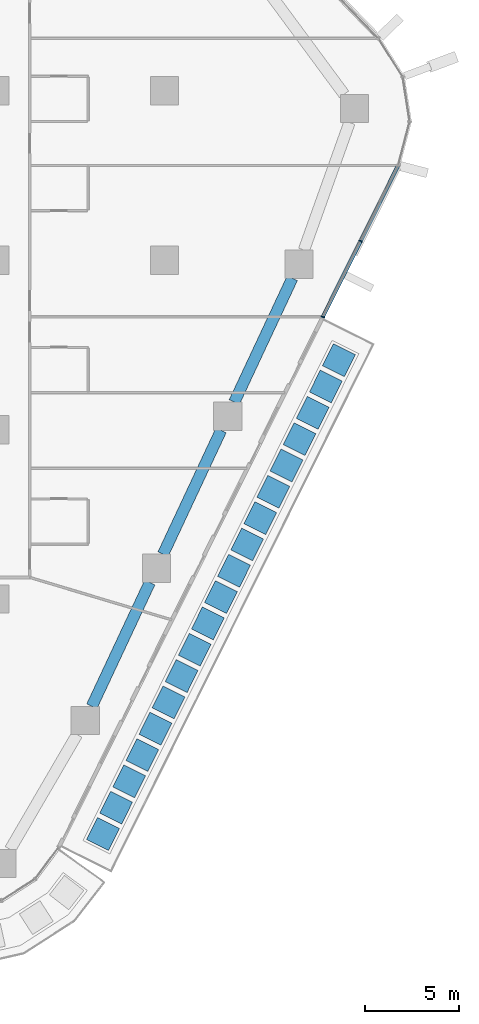
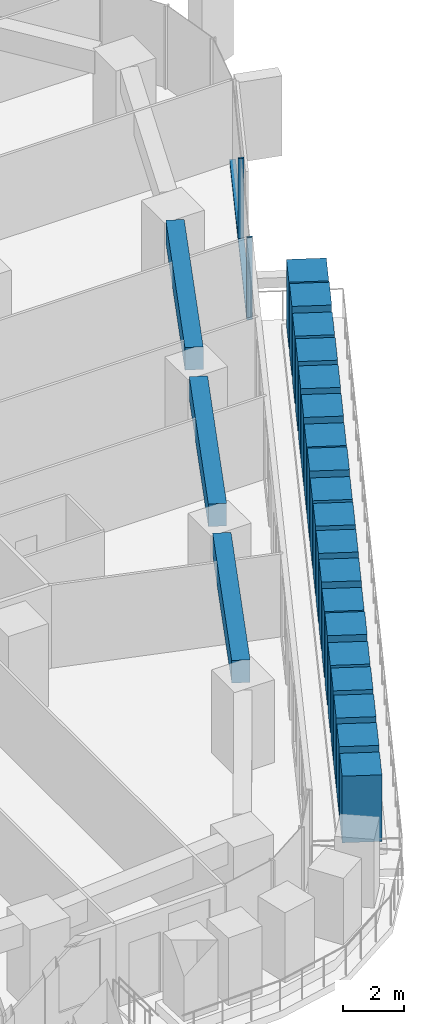
# One storey, part 7 of 27: 22 members, 3 beams, 1 element without a shape of its own.
"""IFC4 building model written with IfcOpenShell, lengths in metres."""

from ifc_helpers import new_model, si_unit, direction, frame, origin, origin_2d, place, context, subcontext, project, spatial, rectangle, extrude, material, layer, layer_set, material_profile, profile_set, type_object, element, aggregate, save


model = new_model("IFC4")

# Units and contexts
model_context = context("Model", 3, precision=1e-05, world=origin(), true_north=direction((0.0, 1.0)))
body_context = subcontext(model_context, "Body", "Model", "MODEL_VIEW")
ifc_project = project(units=[si_unit("LENGTHUNIT", "METRE"), si_unit("AREAUNIT", "SQUARE_METRE"), si_unit("VOLUMEUNIT", "CUBIC_METRE"), si_unit("PLANEANGLEUNIT", "RADIAN"), si_unit("MASSUNIT", "GRAM", prefix="KILO")], contexts=[model_context])

# Site, building, storey
site_placement = place(None, origin())
site = spatial("IfcSite", under=ifc_project, at=site_placement, CompositionType="ELEMENT")
building_placement = place(site_placement, origin())
building = spatial("IfcBuilding", under=site, at=building_placement, Name="Dongbaek Canopy Tower", CompositionType="ELEMENT")
storey_placement = place(building_placement, frame((0.0, 0.0, 55.10009765625)))
storey = spatial("IfcBuildingStorey", under=building, at=storey_placement, Name="L09", CompositionType="ELEMENT", Elevation=55.10009765625)

# Curtain wall, members
ifc_material_1 = material(Name="Aluminium 6063-T6 pale anodised", Category="aluminium")
ifc_layer = layer(ifc_material_1, 0.199951171875)
ifc_layer_set = layer_set([ifc_layer], Name="CW-1 unitised tower curtain wall")
curtain_wall_type = type_object("IfcCurtainWallType", Name="CW-1 unitised tower curtain wall", PredefinedType="NOTDEFINED", material=ifc_layer_set)
curtain_wall_placement = place(storey_placement, origin())
curtain_wall = element("IfcCurtainWall", 1, at=curtain_wall_placement, inside=storey, type_object=curtain_wall_type, Name="CW-1 curtain wall F5.1", PredefinedType="NOTDEFINED")
ifc_material_2 = material(Name="Aluminium 6063-T6 pale anodised", Category="aluminium")
ifc_material_profile_1 = material_profile(ifc_material_2, rectangle(XDim=0.199951171875, YDim=0.06005859375, at=origin_2d()), Name="CW-1 mullion 60 x 200")
ifc_profile_set_1 = profile_set([ifc_material_profile_1], Name="Aluminium 6063-T6 pale anodised")
member_type_1 = type_object("IfcMemberType", Name="CW-1 mullion 60 x 200", PredefinedType="MULLION", material=ifc_profile_set_1)
member_1_placement = place(storey_placement, frame((35.414306640625, -3.00634765625, 0.119873046875), z_axis=(0.0, 0.0, 1.0), x_axis=(0.895193313704, -0.445678057682, 0.0)))
member_1 = element("IfcMember", 2, at=member_1_placement, type_object=member_type_1, Name="CW-1 mullion F5.1.1", PredefinedType="MULLION", context=body_context, shape_type="SweptSolid", body=[
    extrude(rectangle(XDim=0.199951171875, YDim=0.06005859375, at=origin_2d()), origin(), (0.0, 0.0, 1.0), 3.179931640625),
])
member_2_placement = place(storey_placement, frame((37.418212890625, 1.018798828125, 0.119873046875), z_axis=(0.0, 0.0, 1.0), x_axis=(0.895193313704, -0.445678057682, 0.0)))
member_2 = element("IfcMember", 3, at=member_2_placement, type_object=member_type_1, Name="CW-1 mullion F5.1.2", PredefinedType="MULLION", context=body_context, shape_type="SweptSolid", body=[
    extrude(rectangle(XDim=0.199951171875, YDim=0.06005859375, at=origin_2d()), origin(), (0.0, 0.0, 1.0), 3.179931640625),
])
ifc_material_3 = material(Name="Aluminium 6063-T6 pale anodised", Category="aluminium")
ifc_material_profile_2 = material_profile(ifc_material_3, rectangle(XDim=0.199951171875, YDim=0.1201171875, at=origin_2d()), Name="CW-1 transom 120 x 200")
ifc_profile_set_2 = profile_set([ifc_material_profile_2], Name="Aluminium 6063-T6 pale anodised")
member_type_2 = type_object("IfcMemberType", Name="CW-1 transom 120 x 200", PredefinedType="USERDEFINED", material=ifc_profile_set_2)
member_3_placement = place(storey_placement, frame((35.414306640625, -3.00634765625, 0.059814453125), z_axis=(0.445690891022, 0.895186924424, 0.0), x_axis=(-0.895186924424, 0.445690891022, 0.0)))
member_3 = element("IfcMember", 4, at=member_3_placement, type_object=member_type_2, Name="CW-1 transom F5.1.1", ObjectType="TRANSOM", PredefinedType="USERDEFINED", context=body_context, shape_type="SweptSolid", body=[
    extrude(rectangle(XDim=0.199951171875, YDim=0.1201171875, at=origin_2d()), origin(), (0.0, 0.0, 1.0), 8.982421875),
])
aggregate(curtain_wall, [member_1, member_2, member_3])

# Beams
ifc_material_4 = material(Name="Concrete C80", Category="concrete")
ifc_material_profile_3 = material_profile(ifc_material_4, rectangle(XDim=0.60009765625, YDim=0.89990234375, at=origin_2d()), Name="RC EDGE BEAM 600x900 C80")
ifc_profile_set_3 = profile_set([ifc_material_profile_3], Name="Concrete C80")
beam_type = type_object("IfcBeamType", Name="RC EDGE BEAM 600x900 C80", PredefinedType="BEAM", material=ifc_profile_set_3)
beam_1_placement = place(storey_placement, frame((33.791748046875, -0.955078125, 2.849853515625), z_axis=(-0.424064450026, -0.905632012588, 0.0), x_axis=(0.905632012588, -0.424064450026, 0.0)))
element("IfcBeam", 5, at=beam_1_placement, inside=storey, type_object=beam_type, Name="EDGEBEAM:L09:22", PredefinedType="BEAM", context=body_context, shape_type="SweptSolid", body=[
    extrude(rectangle(XDim=0.60009765625, YDim=0.89990234375, at=origin_2d()), origin(), (0.0, 0.0, 1.0), 7.264404296875),
])
beam_2_placement = place(storey_placement, frame((30.0087890625, -9.033935546875, 2.849853515625), z_axis=(-0.424110161641, -0.905610606604, 0.0), x_axis=(0.905610606604, -0.424110161641, 0.0)))
element("IfcBeam", 6, at=beam_2_placement, inside=storey, type_object=beam_type, Name="EDGEBEAM:L09:23", PredefinedType="BEAM", context=body_context, shape_type="SweptSolid", body=[
    extrude(rectangle(XDim=0.60009765625, YDim=0.89990234375, at=origin_2d()), origin(), (0.0, 0.0, 1.0), 7.265869140625),
])
beam_3_placement = place(storey_placement, frame((26.224609375, -17.114013671875, 2.849853515625), z_axis=(-0.42413422917, -0.905599335052, 0.0), x_axis=(0.905599335052, -0.42413422917, 0.0)))
element("IfcBeam", 7, at=beam_3_placement, inside=storey, type_object=beam_type, Name="EDGEBEAM:L09:24", PredefinedType="BEAM", context=body_context, shape_type="SweptSolid", body=[
    extrude(rectangle(XDim=0.60009765625, YDim=0.89990234375, at=origin_2d()), origin(), (0.0, 0.0, 1.0), 7.264892578125),
])

# Members
ifc_material_5 = material(Name="Concrete C40/50 planter mass with planting", Category="concrete")
ifc_material_profile_4 = material_profile(ifc_material_5, rectangle(XDim=1.300048828125, YDim=1.300048828125, at=origin_2d()), Name="Terrace PLANTER shrub mass 1300 x 1300")
ifc_profile_set_4 = profile_set([ifc_material_profile_4], Name="Concrete C40/50 planter mass with planting")
member_type_3 = type_object("IfcMemberType", Name="Terrace PLANTER shrub mass 1300 x 1300", PredefinedType="USERDEFINED", material=ifc_profile_set_4)
member_4_placement = place(storey_placement, frame((23.738037109375, -30.475830078125, 0.419921875), z_axis=(0.0, 0.0, 1.0), x_axis=(0.895193313704, -0.445678057682, 0.0)))
element("IfcMember", 8, at=member_4_placement, inside=storey, type_object=member_type_3, Name="Planter shrubs L09 5.1", ObjectType="PLANTER", PredefinedType="USERDEFINED", context=body_context, shape_type="SweptSolid", body=[
    extrude(rectangle(XDim=1.300048828125, YDim=1.300048828125, at=origin_2d()), origin(), (0.0, 0.0, 1.0), 2.64990234375),
])
member_5_placement = place(storey_placement, frame((24.43408203125, -29.07763671875, 0.419921875), z_axis=(0.0, 0.0, 1.0), x_axis=(0.895193313704, -0.445678057682, 0.0)))
element("IfcMember", 9, at=member_5_placement, inside=storey, type_object=member_type_3, Name="Planter shrubs L09 5.2", ObjectType="PLANTER", PredefinedType="USERDEFINED", context=body_context, shape_type="SweptSolid", body=[
    extrude(rectangle(XDim=1.300048828125, YDim=1.300048828125, at=origin_2d()), origin(), (0.0, 0.0, 1.0), 2.72998046875),
])
member_6_placement = place(storey_placement, frame((25.130126953125, -27.679443359375, 0.419921875), z_axis=(0.0, 0.0, 1.0), x_axis=(0.895193313704, -0.445678057682, 0.0)))
element("IfcMember", 10, at=member_6_placement, inside=storey, type_object=member_type_3, Name="Planter shrubs L09 5.3", ObjectType="PLANTER", PredefinedType="USERDEFINED", context=body_context, shape_type="SweptSolid", body=[
    extrude(rectangle(XDim=1.300048828125, YDim=1.300048828125, at=origin_2d()), origin(), (0.0, 0.0, 1.0), 2.780029296875),
])
member_7_placement = place(storey_placement, frame((25.826416015625, -26.28125, 0.419921875), z_axis=(0.0, 0.0, 1.0), x_axis=(0.895193313704, -0.445678057682, 0.0)))
element("IfcMember", 11, at=member_7_placement, inside=storey, type_object=member_type_3, Name="Planter shrubs L09 5.4", ObjectType="PLANTER", PredefinedType="USERDEFINED", context=body_context, shape_type="SweptSolid", body=[
    extrude(rectangle(XDim=1.300048828125, YDim=1.300048828125, at=origin_2d()), origin(), (0.0, 0.0, 1.0), 2.77001953125),
])
member_8_placement = place(storey_placement, frame((26.5224609375, -24.883056640625, 0.419921875), z_axis=(0.0, 0.0, 1.0), x_axis=(0.895193313704, -0.445678057682, 0.0)))
element("IfcMember", 12, at=member_8_placement, inside=storey, type_object=member_type_3, Name="Planter shrubs L09 5.5", ObjectType="PLANTER", PredefinedType="USERDEFINED", context=body_context, shape_type="SweptSolid", body=[
    extrude(rectangle(XDim=1.300048828125, YDim=1.300048828125, at=origin_2d()), origin(), (0.0, 0.0, 1.0), 2.68994140625),
])
member_9_placement = place(storey_placement, frame((27.218505859375, -23.485107421875, 0.419921875), z_axis=(0.0, 0.0, 1.0), x_axis=(0.895193313704, -0.445678057682, 0.0)))
element("IfcMember", 13, at=member_9_placement, inside=storey, type_object=member_type_3, Name="Planter shrubs L09 5.6", ObjectType="PLANTER", PredefinedType="USERDEFINED", context=body_context, shape_type="SweptSolid", body=[
    extrude(rectangle(XDim=1.300048828125, YDim=1.300048828125, at=origin_2d()), origin(), (0.0, 0.0, 1.0), 2.780029296875),
])
member_10_placement = place(storey_placement, frame((27.91455078125, -22.0869140625, 0.419921875), z_axis=(0.0, 0.0, 1.0), x_axis=(0.895193313704, -0.445678057682, 0.0)))
element("IfcMember", 14, at=member_10_placement, inside=storey, type_object=member_type_3, Name="Planter shrubs L09 5.7", ObjectType="PLANTER", PredefinedType="USERDEFINED", context=body_context, shape_type="SweptSolid", body=[
    extrude(rectangle(XDim=1.300048828125, YDim=1.300048828125, at=origin_2d()), origin(), (0.0, 0.0, 1.0), 2.64990234375),
])
member_11_placement = place(storey_placement, frame((28.610595703125, -20.688720703125, 0.419921875), z_axis=(0.0, 0.0, 1.0), x_axis=(0.895193313704, -0.445678057682, 0.0)))
element("IfcMember", 15, at=member_11_placement, inside=storey, type_object=member_type_3, Name="Planter shrubs L09 5.8", ObjectType="PLANTER", PredefinedType="USERDEFINED", context=body_context, shape_type="SweptSolid", body=[
    extrude(rectangle(XDim=1.300048828125, YDim=1.300048828125, at=origin_2d()), origin(), (0.0, 0.0, 1.0), 2.72998046875),
])
member_12_placement = place(storey_placement, frame((29.306640625, -19.29052734375, 0.419921875), z_axis=(0.0, 0.0, 1.0), x_axis=(0.895193313704, -0.445678057682, 0.0)))
element("IfcMember", 16, at=member_12_placement, inside=storey, type_object=member_type_3, Name="Planter shrubs L09 5.9", ObjectType="PLANTER", PredefinedType="USERDEFINED", context=body_context, shape_type="SweptSolid", body=[
    extrude(rectangle(XDim=1.300048828125, YDim=1.300048828125, at=origin_2d()), origin(), (0.0, 0.0, 1.0), 2.780029296875),
])
member_13_placement = place(storey_placement, frame((30.0029296875, -17.892333984375, 0.419921875), z_axis=(0.0, 0.0, 1.0), x_axis=(0.895193313704, -0.445678057682, 0.0)))
element("IfcMember", 17, at=member_13_placement, inside=storey, type_object=member_type_3, Name="Planter shrubs L09 5.10", ObjectType="PLANTER", PredefinedType="USERDEFINED", context=body_context, shape_type="SweptSolid", body=[
    extrude(rectangle(XDim=1.300048828125, YDim=1.300048828125, at=origin_2d()), origin(), (0.0, 0.0, 1.0), 2.77001953125),
])
member_14_placement = place(storey_placement, frame((30.698974609375, -16.494140625, 0.419921875), z_axis=(0.0, 0.0, 1.0), x_axis=(0.895193313704, -0.445678057682, 0.0)))
element("IfcMember", 18, at=member_14_placement, inside=storey, type_object=member_type_3, Name="Planter shrubs L09 5.11", ObjectType="PLANTER", PredefinedType="USERDEFINED", context=body_context, shape_type="SweptSolid", body=[
    extrude(rectangle(XDim=1.300048828125, YDim=1.300048828125, at=origin_2d()), origin(), (0.0, 0.0, 1.0), 2.68994140625),
])
member_15_placement = place(storey_placement, frame((31.39501953125, -15.095947265625, 0.419921875), z_axis=(0.0, 0.0, 1.0), x_axis=(0.895193313704, -0.445678057682, 0.0)))
element("IfcMember", 19, at=member_15_placement, inside=storey, type_object=member_type_3, Name="Planter shrubs L09 5.12", ObjectType="PLANTER", PredefinedType="USERDEFINED", context=body_context, shape_type="SweptSolid", body=[
    extrude(rectangle(XDim=1.300048828125, YDim=1.300048828125, at=origin_2d()), origin(), (0.0, 0.0, 1.0), 2.780029296875),
])
member_16_placement = place(storey_placement, frame((32.091064453125, -13.697998046875, 0.419921875), z_axis=(0.0, 0.0, 1.0), x_axis=(0.895193313704, -0.445678057682, 0.0)))
element("IfcMember", 20, at=member_16_placement, inside=storey, type_object=member_type_3, Name="Planter shrubs L09 5.13", ObjectType="PLANTER", PredefinedType="USERDEFINED", context=body_context, shape_type="SweptSolid", body=[
    extrude(rectangle(XDim=1.300048828125, YDim=1.300048828125, at=origin_2d()), origin(), (0.0, 0.0, 1.0), 2.64990234375),
])
member_17_placement = place(storey_placement, frame((32.787109375, -12.2998046875, 0.419921875), z_axis=(0.0, 0.0, 1.0), x_axis=(0.895193313704, -0.445678057682, 0.0)))
element("IfcMember", 21, at=member_17_placement, inside=storey, type_object=member_type_3, Name="Planter shrubs L09 5.14", ObjectType="PLANTER", PredefinedType="USERDEFINED", context=body_context, shape_type="SweptSolid", body=[
    extrude(rectangle(XDim=1.300048828125, YDim=1.300048828125, at=origin_2d()), origin(), (0.0, 0.0, 1.0), 2.72998046875),
])
member_18_placement = place(storey_placement, frame((33.483154296875, -10.901611328125, 0.419921875), z_axis=(0.0, 0.0, 1.0), x_axis=(0.895193313704, -0.445678057682, 0.0)))
element("IfcMember", 22, at=member_18_placement, inside=storey, type_object=member_type_3, Name="Planter shrubs L09 5.15", ObjectType="PLANTER", PredefinedType="USERDEFINED", context=body_context, shape_type="SweptSolid", body=[
    extrude(rectangle(XDim=1.300048828125, YDim=1.300048828125, at=origin_2d()), origin(), (0.0, 0.0, 1.0), 2.780029296875),
])
member_19_placement = place(storey_placement, frame((34.17919921875, -9.50341796875, 0.419921875), z_axis=(0.0, 0.0, 1.0), x_axis=(0.895193313704, -0.445678057682, 0.0)))
element("IfcMember", 23, at=member_19_placement, inside=storey, type_object=member_type_3, Name="Planter shrubs L09 5.16", ObjectType="PLANTER", PredefinedType="USERDEFINED", context=body_context, shape_type="SweptSolid", body=[
    extrude(rectangle(XDim=1.300048828125, YDim=1.300048828125, at=origin_2d()), origin(), (0.0, 0.0, 1.0), 2.77001953125),
])
member_20_placement = place(storey_placement, frame((34.87548828125, -8.105224609375, 0.419921875), z_axis=(0.0, 0.0, 1.0), x_axis=(0.895193313704, -0.445678057682, 0.0)))
element("IfcMember", 24, at=member_20_placement, inside=storey, type_object=member_type_3, Name="Planter shrubs L09 5.17", ObjectType="PLANTER", PredefinedType="USERDEFINED", context=body_context, shape_type="SweptSolid", body=[
    extrude(rectangle(XDim=1.300048828125, YDim=1.300048828125, at=origin_2d()), origin(), (0.0, 0.0, 1.0), 2.68994140625),
])
member_21_placement = place(storey_placement, frame((35.571533203125, -6.70703125, 0.419921875), z_axis=(0.0, 0.0, 1.0), x_axis=(0.895193313704, -0.445678057682, 0.0)))
element("IfcMember", 25, at=member_21_placement, inside=storey, type_object=member_type_3, Name="Planter shrubs L09 5.18", ObjectType="PLANTER", PredefinedType="USERDEFINED", context=body_context, shape_type="SweptSolid", body=[
    extrude(rectangle(XDim=1.300048828125, YDim=1.300048828125, at=origin_2d()), origin(), (0.0, 0.0, 1.0), 2.780029296875),
])
member_22_placement = place(storey_placement, frame((36.267578125, -5.308837890625, 0.419921875), z_axis=(0.0, 0.0, 1.0), x_axis=(0.895193313704, -0.445678057682, 0.0)))
element("IfcMember", 26, at=member_22_placement, inside=storey, type_object=member_type_3, Name="Planter shrubs L09 5.19", ObjectType="PLANTER", PredefinedType="USERDEFINED", context=body_context, shape_type="SweptSolid", body=[
    extrude(rectangle(XDim=1.300048828125, YDim=1.300048828125, at=origin_2d()), origin(), (0.0, 0.0, 1.0), 2.64990234375),
])

save(model, "model.ifc")
